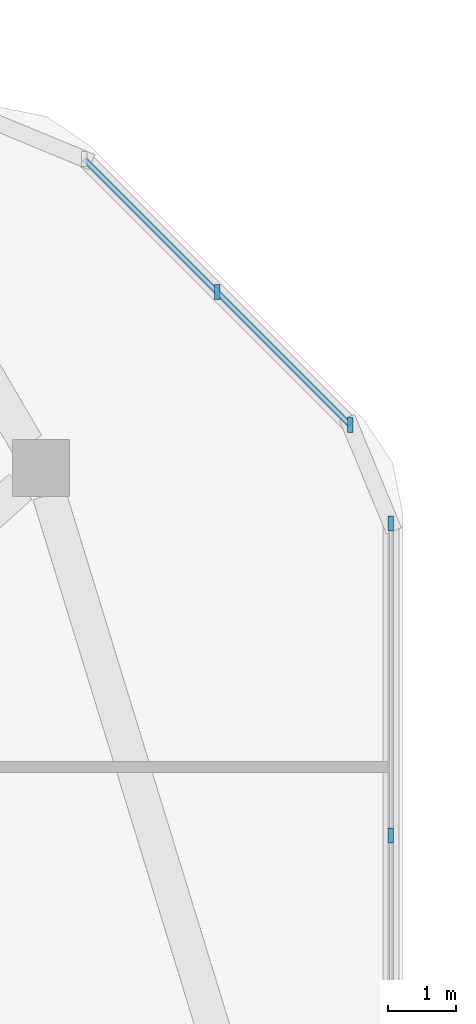
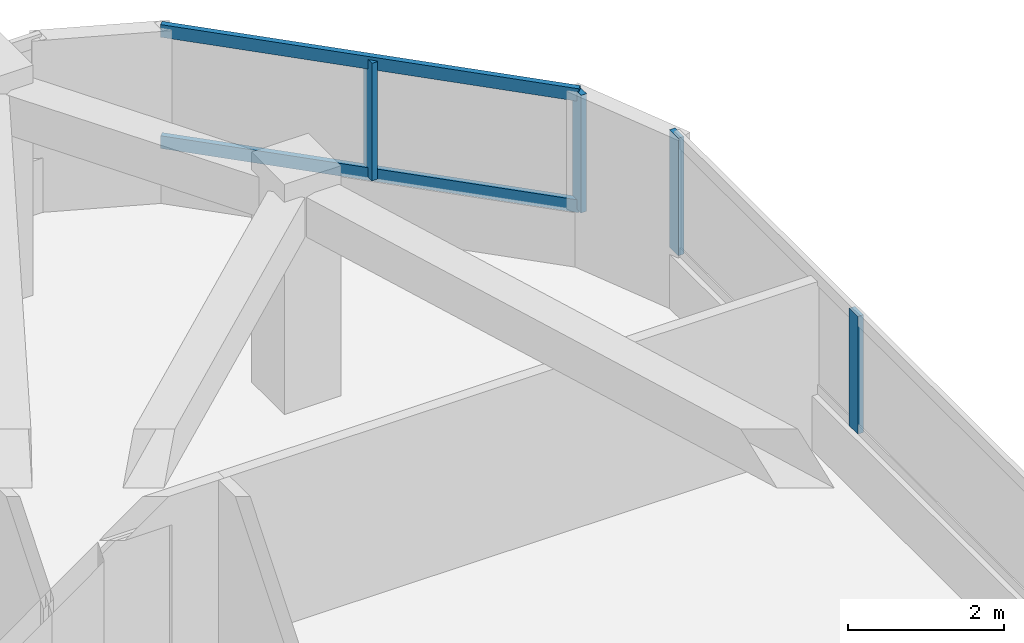
# One storey, part 7 of 14: 6 members, 2 elements without a shape of their own.
"""IFC4 building model written with IfcOpenShell, lengths in metres."""

from ifc_helpers import new_model, si_unit, derived_unit, direction, frame, origin, origin_2d, place, context, subcontext, project, spatial, rectangle, extrude, material, material_profile, profile_set, type_object, element, aggregate, save


model = new_model("IFC4")

# Units and contexts
model_context = context("Model", 3, precision=1e-05, world=origin(), true_north=direction((0.0, 1.0)))
body_context = subcontext(model_context, "Body", "Model", "MODEL_VIEW")
ifc_project = project(units=[si_unit("LENGTHUNIT", "METRE"), si_unit("AREAUNIT", "SQUARE_METRE"), si_unit("VOLUMEUNIT", "CUBIC_METRE"), si_unit("PLANEANGLEUNIT", "RADIAN"), si_unit("MASSUNIT", "GRAM", prefix="KILO"), derived_unit("THERMALTRANSMITTANCEUNIT", [(si_unit("POWERUNIT", "WATT"), 1), (si_unit("LENGTHUNIT", "METRE"), -2), (si_unit("THERMODYNAMICTEMPERATUREUNIT", "KELVIN"), -1)])], contexts=[model_context])

# Site, building, storey
site_placement = place(None, origin())
site = spatial("IfcSite", under=ifc_project, at=site_placement, CompositionType="ELEMENT")
building_placement = place(site_placement, origin())
building = spatial("IfcBuilding", under=site, at=building_placement, Name="Koralith Skygarden Medical Center", CompositionType="ELEMENT")
storey_placement = place(building_placement, frame((0.0, 0.0, 242.820068359375)))
storey = spatial("IfcBuildingStorey", under=building, at=storey_placement, Name="L62", CompositionType="ELEMENT", Elevation=242.820068359375)

# Curtain wall, members
ifc_material_1 = material(Name="Clear Laminated Glass", Category="glass")
curtain_wall_type = type_object("IfcCurtainWallType", Name="CW-6 Zone 5 Upper Clinical Curtain Wall", PredefinedType="NOTDEFINED", material=ifc_material_1)
curtain_wall_1_placement = place(storey_placement, origin())
curtain_wall_1 = element("IfcCurtainWall", 1, at=curtain_wall_1_placement, inside=storey, type_object=curtain_wall_type, Name="Curtain Wall CW-L62-E-R", PredefinedType="NOTDEFINED")
ifc_material_2 = material(Name="Aluminium 6063-T6", Category="aluminium")
ifc_material_profile_1 = material_profile(ifc_material_2, rectangle(XDim=0.0830078125, YDim=0.219970703125, at=origin_2d()), Name="MUL83X220")
ifc_profile_set_1 = profile_set([ifc_material_profile_1], Name="Aluminium 6063-T6")
member_type_1 = type_object("IfcMemberType", Name="CW-6 Extruded Mullion 83x220", PredefinedType="MULLION", material=ifc_profile_set_1)
member_1_placement = place(storey_placement, frame((61.719970703125, 36.64306640625, 0.849853515625), z_axis=(0.0, 0.0, 1.0), x_axis=(1.0, 0.0, 0.0)))
member_1 = element("IfcMember", 2, at=member_1_placement, type_object=member_type_1, Name="CW-L62-E-R Mullion 3", PredefinedType="MULLION", context=body_context, shape_type="SweptSolid", body=[
    extrude(rectangle(XDim=0.0830078125, YDim=0.219970703125, at=origin_2d()), origin(), (0.0, 0.0, 1.0), 1.840087890625),
])
member_2_placement = place(storey_placement, frame((61.719970703125, 41.2451171875, 0.849853515625), z_axis=(0.0, 0.0, 1.0), x_axis=(1.0, 0.0, 0.0)))
member_2 = element("IfcMember", 3, at=member_2_placement, type_object=member_type_1, Name="CW-L62-E-R Mullion 4", PredefinedType="MULLION", context=body_context, shape_type="SweptSolid", body=[
    extrude(rectangle(XDim=0.0830078125, YDim=0.219970703125, at=origin_2d()), origin(), (0.0, 0.0, 1.0), 1.840087890625),
])
aggregate(curtain_wall_1, [member_1, member_2])

curtain_wall_2_placement = place(storey_placement, origin())
curtain_wall_2 = element("IfcCurtainWall", 4, at=curtain_wall_2_placement, inside=storey, type_object=curtain_wall_type, Name="Curtain Wall CW-L62-NE", PredefinedType="NOTDEFINED")
member_3_placement = place(storey_placement, frame((61.118896484375, 42.696044921875, 0.849853515625), z_axis=(0.0, 0.0, 1.0), x_axis=(1.0, 0.0, 0.0)))
member_3 = element("IfcMember", 5, at=member_3_placement, type_object=member_type_1, Name="CW-L62-NE Mullion 1", PredefinedType="MULLION", context=body_context, shape_type="SweptSolid", body=[
    extrude(rectangle(XDim=0.0830078125, YDim=0.219970703125, at=origin_2d()), origin(), (0.0, 0.0, 1.0), 1.840087890625),
])
member_4_placement = place(storey_placement, frame((59.156982421875, 44.656982421875, 0.849853515625), z_axis=(0.0, 0.0, 1.0), x_axis=(1.0, 0.0, 0.0)))
member_4 = element("IfcMember", 6, at=member_4_placement, type_object=member_type_1, Name="CW-L62-NE Mullion 2", PredefinedType="MULLION", context=body_context, shape_type="SweptSolid", body=[
    extrude(rectangle(XDim=0.0830078125, YDim=0.219970703125, at=origin_2d()), origin(), (0.0, 0.0, 1.0), 1.840087890625),
])
ifc_material_profile_2 = material_profile(ifc_material_2, rectangle(XDim=0.077880859375, YDim=0.197998046875, at=origin_2d()), Name="TRN78X198")
ifc_profile_set_2 = profile_set([ifc_material_profile_2], Name="Aluminium 6063-T6")
member_type_2 = type_object("IfcMemberType", Name="CW-6 Thermal Transom 78x198", PredefinedType="USERDEFINED", material=ifc_profile_set_2)
member_5_placement = place(storey_placement, frame((61.118896484375, 42.696044921875, 0.89990234375), z_axis=(-0.707106781187, 0.707106781187, 0.0), x_axis=(-0.707106781187, -0.707106781187, 0.0)))
member_5 = element("IfcMember", 7, at=member_5_placement, type_object=member_type_2, Name="CW-L62-NE Transom 1", ObjectType="TRANSOM", PredefinedType="USERDEFINED", context=body_context, shape_type="SweptSolid", body=[
    extrude(rectangle(XDim=0.077880859375, YDim=0.197998046875, at=origin_2d()), origin(), (0.0, 0.0, 1.0), 5.5478515625),
])
member_6_placement = place(storey_placement, frame((61.118896484375, 42.696044921875, 2.639892578125), z_axis=(-0.707106781187, 0.707106781187, 0.0), x_axis=(-0.707106781187, -0.707106781187, 0.0)))
member_6 = element("IfcMember", 8, at=member_6_placement, type_object=member_type_2, Name="CW-L62-NE Transom 2", ObjectType="TRANSOM", PredefinedType="USERDEFINED", context=body_context, shape_type="SweptSolid", body=[
    extrude(rectangle(XDim=0.077880859375, YDim=0.197998046875, at=origin_2d()), origin(), (0.0, 0.0, 1.0), 5.5478515625),
])
aggregate(curtain_wall_2, [member_3, member_4, member_5, member_6])

save(model, "model.ifc")
